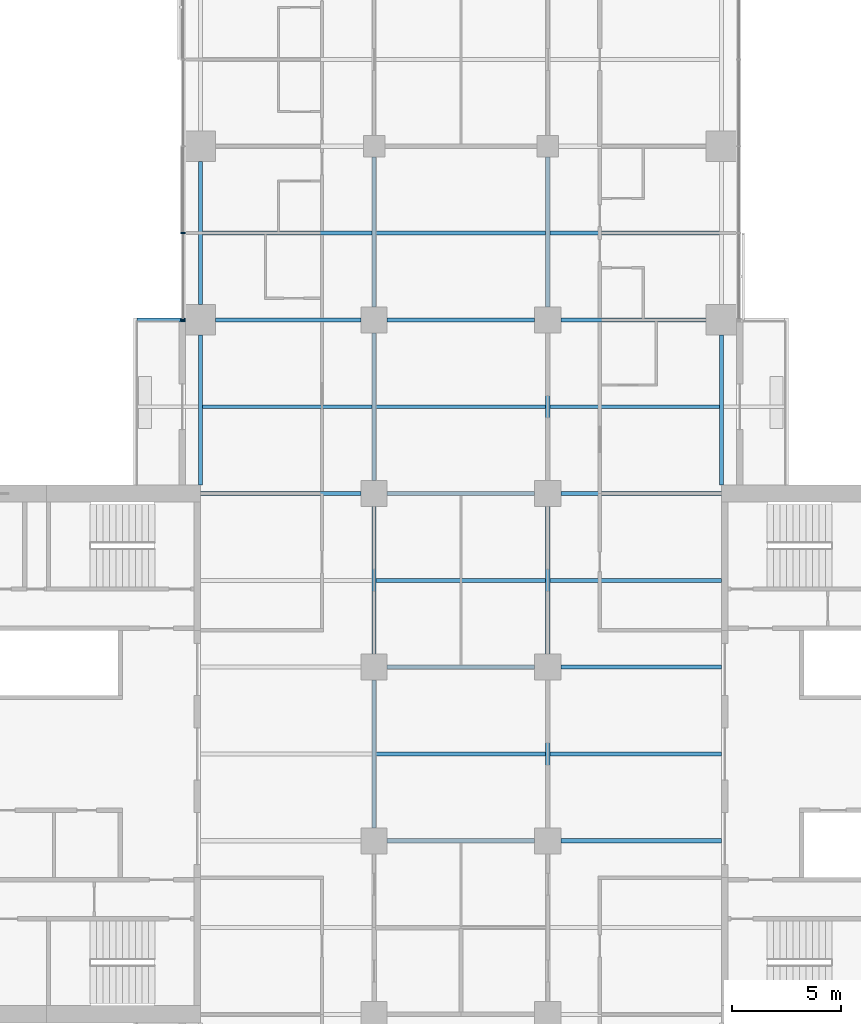
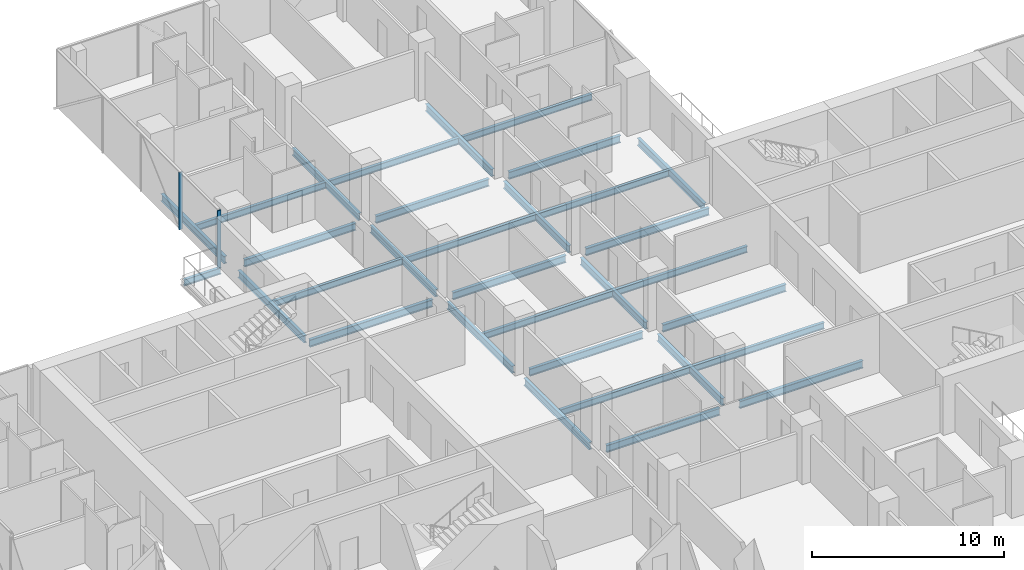
# One storey, part 9 of 27: 32 beams, 2 members, 1 element without a shape of its own.
"""IFC4 building model written with IfcOpenShell, lengths in metres."""

from ifc_helpers import new_model, si_unit, direction, frame, origin, origin_2d, place, context, subcontext, project, spatial, rectangle, i_section, extrude, material, material_profile, profile_set, type_object, element, aggregate, save


model = new_model("IFC4")

# Units and contexts
model_context = context("Model", 3, precision=1e-05, world=origin(), true_north=direction((0.0, 1.0)))
body_context = subcontext(model_context, "Body", "Model", "MODEL_VIEW")
ifc_project = project(units=[si_unit("LENGTHUNIT", "METRE"), si_unit("AREAUNIT", "SQUARE_METRE"), si_unit("VOLUMEUNIT", "CUBIC_METRE"), si_unit("PLANEANGLEUNIT", "RADIAN"), si_unit("MASSUNIT", "GRAM", prefix="KILO")], contexts=[model_context])

# Site, building, storey
site_placement = place(None, origin())
site = spatial("IfcSite", under=ifc_project, at=site_placement, CompositionType="ELEMENT")
building_placement = place(site_placement, origin())
building = spatial("IfcBuilding", under=site, at=building_placement, Name="Crosswind Convention Tower", CompositionType="ELEMENT")
storey_placement = place(building_placement, frame((0.0, 0.0, 68.300048828125)))
storey = spatial("IfcBuildingStorey", under=building, at=storey_placement, Name="L11", CompositionType="ELEMENT", Elevation=68.300048828125)

# Beams
ifc_material_1 = material(Name="Steel S355", Category="steel")
ifc_material_profile_1 = material_profile(ifc_material_1, i_section(OverallWidth=0.177734375, OverallDepth=0.406494140625, WebThickness=0.0078125, FlangeThickness=0.0126953125, FilletRadius=0.01025390625, at=origin_2d()), Name="UB 406x178x60")
ifc_profile_set_1 = profile_set([ifc_material_profile_1], Name="Steel S355")
beam_type_1 = type_object("IfcBeamType", Name="Balcony cantilever UB 406x178x60", PredefinedType="BEAM", material=ifc_profile_set_1)
beam_1_placement = place(storey_placement, frame((112.300048828125, 120.0, -0.483154296875), z_axis=(-1.0, 0.0, 0.0), x_axis=(0.0, -1.0, 0.0)))
element("IfcBeam", 1, at=beam_1_placement, inside=storey, type_object=beam_type_1, Name="B35 L11 balcony cantilever NW 5", PredefinedType="BEAM", context=body_context, shape_type="SweptSolid", body=[
    extrude(i_section(OverallWidth=0.177734375, OverallDepth=0.406494140625, WebThickness=0.0078125, FlangeThickness=0.0126953125, FilletRadius=0.01025390625, at=origin_2d()), origin(), (0.0, 0.0, 1.0), 2.214599609375),
])
ifc_material_profile_2 = material_profile(ifc_material_1, i_section(OverallWidth=0.1904296875, OverallDepth=0.457275390625, WebThickness=0.009033203125, FlangeThickness=0.014404296875, FilletRadius=0.01025390625, at=origin_2d()), Name="UB 457x191x75")
ifc_profile_set_2 = profile_set([ifc_material_profile_2], Name="Steel S355")
beam_type_2 = type_object("IfcBeamType", Name="Edge beam UB 457x191x75", PredefinedType="SPANDREL", material=ifc_profile_set_2)
beam_2_placement = place(storey_placement, frame((113.0, 112.39990234375, -0.508544921875), z_axis=(0.0, 1.0, 0.0), x_axis=(-1.0, 0.0, 0.0)))
element("IfcBeam", 2, at=beam_2_placement, inside=storey, type_object=beam_type_2, Name="B17 L11 edge beam 9", PredefinedType="SPANDREL", context=body_context, shape_type="SweptSolid", body=[
    extrude(i_section(OverallWidth=0.1904296875, OverallDepth=0.457275390625, WebThickness=0.009033203125, FlangeThickness=0.014404296875, FilletRadius=0.01025390625, at=origin_2d()), origin(), (0.0, 0.0, 1.0), 6.900146484375),
])
beam_3_placement = place(storey_placement, frame((113.0, 120.699951171875, -0.508544921875), z_axis=(0.0, 1.0, 0.0), x_axis=(-1.0, 0.0, 0.0)))
element("IfcBeam", 3, at=beam_3_placement, inside=storey, type_object=beam_type_2, Name="B17 L11 edge beam 10", PredefinedType="SPANDREL", context=body_context, shape_type="SweptSolid", body=[
    extrude(i_section(OverallWidth=0.1904296875, OverallDepth=0.457275390625, WebThickness=0.009033203125, FlangeThickness=0.014404296875, FilletRadius=0.01025390625, at=origin_2d()), origin(), (0.0, 0.0, 1.0), 6.60009765625),
])
beam_4_placement = place(storey_placement, frame((137.0, 112.39990234375, -0.508544921875), z_axis=(0.0, 1.0, 0.0), x_axis=(-1.0, 0.0, 0.0)))
element("IfcBeam", 4, at=beam_4_placement, inside=storey, type_object=beam_type_2, Name="B17 L11 edge beam 21", PredefinedType="SPANDREL", context=body_context, shape_type="SweptSolid", body=[
    extrude(i_section(OverallWidth=0.1904296875, OverallDepth=0.457275390625, WebThickness=0.009033203125, FlangeThickness=0.014404296875, FilletRadius=0.01025390625, at=origin_2d()), origin(), (0.0, 0.0, 1.0), 6.900146484375),
])
ifc_material_profile_3 = material_profile(ifc_material_1, i_section(OverallWidth=0.19140625, OverallDepth=0.460205078125, WebThickness=0.010009765625, FlangeThickness=0.01611328125, FilletRadius=0.01025390625, at=origin_2d()), Name="UB 457x191x82")
ifc_profile_set_3 = profile_set([ifc_material_profile_3], Name="Steel S355")
beam_type_3 = type_object("IfcBeamType", Name="Girder UB 457x191x82", PredefinedType="BEAM", material=ifc_profile_set_3)
beam_5_placement = place(storey_placement, frame((113.699951171875, 120.0, -0.51025390625), z_axis=(1.0, 0.0, 0.0), x_axis=(0.0, 1.0, 0.0)))
element("IfcBeam", 5, at=beam_5_placement, inside=storey, type_object=beam_type_3, Name="B3 L11 girder 3", PredefinedType="BEAM", context=body_context, shape_type="SweptSolid", body=[
    extrude(i_section(OverallWidth=0.19140625, OverallDepth=0.460205078125, WebThickness=0.010009765625, FlangeThickness=0.01611328125, FilletRadius=0.01025390625, at=origin_2d()), origin(), (0.0, 0.0, 1.0), 6.699951171875),
])
for number, where, z_axis, x_axis, name in (
    (6, (121.0, 96.60009765625, -0.51025390625), (0.0, 1.0, 0.0), (-1.0, 0.0, 0.0), "B3 L11 girder 9"),
    (7, (121.0, 104.60009765625, -0.51025390625), (0.0, 1.0, 0.0), (-1.0, 0.0, 0.0), "B3 L11 girder 10"),
    (8, (121.0, 112.60009765625, -0.51025390625), (0.0, 1.0, 0.0), (-1.0, 0.0, 0.0), "B3 L11 girder 11"),
):
    element("IfcBeam", number, at=place(storey_placement, frame(where, z_axis=z_axis, x_axis=x_axis)), inside=storey, type_object=beam_type_3, Name=name, PredefinedType="BEAM", context=body_context, shape_type="SweptSolid", body=[
        extrude(i_section(OverallWidth=0.19140625, OverallDepth=0.460205078125, WebThickness=0.010009765625, FlangeThickness=0.01611328125, FilletRadius=0.01025390625, at=origin_2d()), origin(), (0.0, 0.0, 1.0), 6.7998046875),
    ])
beam_6_placement = place(storey_placement, frame((121.0, 120.60009765625, -0.51025390625), z_axis=(0.0, 1.0, 0.0), x_axis=(-1.0, 0.0, 0.0)))
element("IfcBeam", 9, at=beam_6_placement, inside=storey, type_object=beam_type_3, Name="B3 L11 girder 12", PredefinedType="BEAM", context=body_context, shape_type="SweptSolid", body=[
    extrude(i_section(OverallWidth=0.19140625, OverallDepth=0.460205078125, WebThickness=0.010009765625, FlangeThickness=0.01611328125, FilletRadius=0.01025390625, at=origin_2d()), origin(), (0.0, 0.0, 1.0), 6.89990234375),
])
for number, where, z_axis, x_axis, name in (
    (10, (121.60009765625, 96.0, -0.51025390625), (1.0, 0.0, 0.0), (0.0, 1.0, 0.0), "B3 L11 girder 18"),
    (11, (121.60009765625, 104.0, -0.51025390625), (1.0, 0.0, 0.0), (0.0, 1.0, 0.0), "B3 L11 girder 19"),
    (12, (121.60009765625, 112.0, -0.51025390625), (1.0, 0.0, 0.0), (0.0, 1.0, 0.0), "B3 L11 girder 20"),
    (13, (121.60009765625, 120.0, -0.51025390625), (1.0, 0.0, 0.0), (0.0, 1.0, 0.0), "B3 L11 girder 21"),
    (14, (129.0, 96.60009765625, -0.51025390625), (0.0, 1.0, 0.0), (-1.0, 0.0, 0.0), "B3 L11 girder 26"),
    (15, (129.0, 104.60009765625, -0.51025390625), (0.0, 1.0, 0.0), (-1.0, 0.0, 0.0), "B3 L11 girder 27"),
    (16, (129.0, 112.60009765625, -0.51025390625), (0.0, 1.0, 0.0), (-1.0, 0.0, 0.0), "B3 L11 girder 28"),
):
    element("IfcBeam", number, at=place(storey_placement, frame(where, z_axis=z_axis, x_axis=x_axis)), inside=storey, type_object=beam_type_3, Name=name, PredefinedType="BEAM", context=body_context, shape_type="SweptSolid", body=[
        extrude(i_section(OverallWidth=0.19140625, OverallDepth=0.460205078125, WebThickness=0.010009765625, FlangeThickness=0.01611328125, FilletRadius=0.01025390625, at=origin_2d()), origin(), (0.0, 0.0, 1.0), 6.7998046875),
    ])
beam_7_placement = place(storey_placement, frame((129.0, 120.60009765625, -0.51025390625), z_axis=(0.0, 1.0, 0.0), x_axis=(-1.0, 0.0, 0.0)))
element("IfcBeam", 17, at=beam_7_placement, inside=storey, type_object=beam_type_3, Name="B3 L11 girder 29", PredefinedType="BEAM", context=body_context, shape_type="SweptSolid", body=[
    extrude(i_section(OverallWidth=0.19140625, OverallDepth=0.460205078125, WebThickness=0.010009765625, FlangeThickness=0.01611328125, FilletRadius=0.01025390625, at=origin_2d()), origin(), (0.0, 0.0, 1.0), 6.89990234375),
])
beam_8_placement = place(storey_placement, frame((129.60009765625, 120.0, -0.51025390625), z_axis=(1.0, 0.0, 0.0), x_axis=(0.0, 1.0, 0.0)))
element("IfcBeam", 18, at=beam_8_placement, inside=storey, type_object=beam_type_3, Name="B3 L11 girder 34", PredefinedType="BEAM", context=body_context, shape_type="SweptSolid", body=[
    extrude(i_section(OverallWidth=0.19140625, OverallDepth=0.460205078125, WebThickness=0.010009765625, FlangeThickness=0.01611328125, FilletRadius=0.01025390625, at=origin_2d()), origin(), (0.0, 0.0, 1.0), 6.699951171875),
])
ifc_material_profile_4 = material_profile(ifc_material_1, i_section(OverallWidth=0.19189453125, OverallDepth=0.463623046875, WebThickness=0.010498046875, FlangeThickness=0.017578125, FilletRadius=0.01025390625, at=origin_2d()), Name="UB 457x191x90")
ifc_profile_set_4 = profile_set([ifc_material_profile_4], Name="Steel S355")
beam_type_4 = type_object("IfcBeamType", Name="Girder at core wall UB 457x191x90", PredefinedType="BEAM", material=ifc_profile_set_4)
for number, where, z_axis, x_axis, name in (
    (19, (113.0, 112.0, -0.511962890625), (1.0, 0.0, 0.0), (0.0, 1.0, 0.0), "B24 L11 girder at core wall 6"),
    (20, (129.60009765625, 96.0, -0.511962890625), (1.0, 0.0, 0.0), (0.0, 1.0, 0.0), "B24 L11 girder at core wall 8"),
    (21, (129.60009765625, 104.0, -0.511962890625), (1.0, 0.0, 0.0), (0.0, 1.0, 0.0), "B24 L11 girder at core wall 9"),
    (22, (129.60009765625, 112.0, -0.511962890625), (1.0, 0.0, 0.0), (0.0, 1.0, 0.0), "B24 L11 girder at core wall 10"),
):
    element("IfcBeam", number, at=place(storey_placement, frame(where, z_axis=z_axis, x_axis=x_axis)), inside=storey, type_object=beam_type_4, Name=name, PredefinedType="BEAM", context=body_context, shape_type="SweptSolid", body=[
        extrude(i_section(OverallWidth=0.19189453125, OverallDepth=0.463623046875, WebThickness=0.010498046875, FlangeThickness=0.017578125, FilletRadius=0.01025390625, at=origin_2d()), origin(), (0.0, 0.0, 1.0), 7.39990234375),
    ])

# Curtain wall, members
ifc_material_2 = material(Name="Aluminium unitised curtain wall", Category="aluminium")
curtain_wall_type = type_object("IfcCurtainWallType", Name="HOTEL UNITISED WALL 200", PredefinedType="USERDEFINED", material=ifc_material_2)
curtain_wall_placement = place(storey_placement, origin())
curtain_wall = element("IfcCurtainWall", 23, at=curtain_wall_placement, inside=storey, type_object=curtain_wall_type, Name="CW2 L11 N-W 1", ObjectType="UNITISED", PredefinedType="USERDEFINED")
ifc_material_3 = material(Name="Aluminium mullion", Category="aluminium")
ifc_material_profile_5 = material_profile(ifc_material_3, rectangle(XDim=0.199951171875, YDim=0.06494140625, at=origin_2d()), Name="AL 200X65")
ifc_profile_set_5 = profile_set([ifc_material_profile_5], Name="Aluminium mullion")
member_type = type_object("IfcMemberType", Name="MULLION 65X200", PredefinedType="MULLION", material=ifc_profile_set_5)
member_1_placement = place(storey_placement, frame((112.199951171875, 124.0, -0.280029296875), z_axis=(0.0, 0.0, 1.0), x_axis=(-1.0, 0.0, 0.0)))
member_1 = element("IfcMember", 24, at=member_1_placement, type_object=member_type, Name="CW2 mullion 4", PredefinedType="MULLION", context=body_context, shape_type="SweptSolid", body=[
    extrude(rectangle(XDim=0.199951171875, YDim=0.06494140625, at=origin_2d()), origin(), (0.0, 0.0, 1.0), 3.635009765625),
])
member_2_placement = place(storey_placement, frame((112.199951171875, 120.0, -0.280029296875), z_axis=(0.0, 0.0, 1.0), x_axis=(-1.0, 0.0, 0.0)))
member_2 = element("IfcMember", 25, at=member_2_placement, type_object=member_type, Name="CW2 mullion 5", PredefinedType="MULLION", context=body_context, shape_type="SweptSolid", body=[
    extrude(rectangle(XDim=0.199951171875, YDim=0.06494140625, at=origin_2d()), origin(), (0.0, 0.0, 1.0), 3.635009765625),
])
aggregate(curtain_wall, [member_1, member_2])

# Beams
ifc_material_profile_6 = material_profile(ifc_material_1, i_section(OverallWidth=0.177734375, OverallDepth=0.406494140625, WebThickness=0.0078125, FlangeThickness=0.0126953125, FilletRadius=0.01025390625, at=origin_2d()), Name="UB 406x178x60")
ifc_profile_set_6 = profile_set([ifc_material_profile_6], Name="Steel S355")
beam_type_5 = type_object("IfcBeamType", Name="Secondary beam UB 406x178x60", PredefinedType="JOIST", material=ifc_profile_set_6)
for number, where, z_axis, x_axis, name in (
    (26, (113.09521484375, 116.0, -0.483154296875), (1.0, 0.0, 0.0), (0.0, 1.0, 0.0), "B10 L11 secondary beam 10"),
    (27, (113.09521484375, 124.0, -0.483154296875), (1.0, 0.0, 0.0), (0.0, 1.0, 0.0), "B10 L11 secondary beam 11"),
):
    element("IfcBeam", number, at=place(storey_placement, frame(where, z_axis=z_axis, x_axis=x_axis)), inside=storey, type_object=beam_type_5, Name=name, PredefinedType="JOIST", context=body_context, shape_type="SweptSolid", body=[
        extrude(i_section(OverallWidth=0.177734375, OverallDepth=0.406494140625, WebThickness=0.0078125, FlangeThickness=0.0126953125, FilletRadius=0.01025390625, at=origin_2d()), origin(), (0.0, 0.0, 1.0), 7.80908203125),
    ])
for number, where, z_axis, x_axis, name in (
    (28, (121.095703125, 100.0, -0.483154296875), (1.0, 0.0, 0.0), (0.0, 1.0, 0.0), "B10 L11 secondary beam 17"),
    (29, (121.095703125, 108.0, -0.483154296875), (1.0, 0.0, 0.0), (0.0, 1.0, 0.0), "B10 L11 secondary beam 18"),
    (30, (121.095703125, 116.0, -0.483154296875), (1.0, 0.0, 0.0), (0.0, 1.0, 0.0), "B10 L11 secondary beam 19"),
    (31, (121.095703125, 124.0, -0.483154296875), (1.0, 0.0, 0.0), (0.0, 1.0, 0.0), "B10 L11 secondary beam 20"),
):
    element("IfcBeam", number, at=place(storey_placement, frame(where, z_axis=z_axis, x_axis=x_axis)), inside=storey, type_object=beam_type_5, Name=name, PredefinedType="JOIST", context=body_context, shape_type="SweptSolid", body=[
        extrude(i_section(OverallWidth=0.177734375, OverallDepth=0.406494140625, WebThickness=0.0078125, FlangeThickness=0.0126953125, FilletRadius=0.01025390625, at=origin_2d()), origin(), (0.0, 0.0, 1.0), 7.80859375),
    ])
for number, where, z_axis, x_axis, name in (
    (32, (129.095703125, 100.0, -0.483154296875), (1.0, 0.0, 0.0), (0.0, 1.0, 0.0), "B10 L11 secondary beam 26"),
    (33, (129.095703125, 108.0, -0.483154296875), (1.0, 0.0, 0.0), (0.0, 1.0, 0.0), "B10 L11 secondary beam 27"),
):
    element("IfcBeam", number, at=place(storey_placement, frame(where, z_axis=z_axis, x_axis=x_axis)), inside=storey, type_object=beam_type_5, Name=name, PredefinedType="JOIST", context=body_context, shape_type="SweptSolid", body=[
        extrude(i_section(OverallWidth=0.177734375, OverallDepth=0.406494140625, WebThickness=0.0078125, FlangeThickness=0.0126953125, FilletRadius=0.01025390625, at=origin_2d()), origin(), (0.0, 0.0, 1.0), 7.904296875),
    ])
for number, where, z_axis, x_axis, name in (
    (34, (129.095703125, 116.0, -0.483154296875), (1.0, 0.0, 0.0), (0.0, 1.0, 0.0), "B10 L11 secondary beam 28"),
    (35, (129.095703125, 124.0, -0.483154296875), (1.0, 0.0, 0.0), (0.0, 1.0, 0.0), "B10 L11 secondary beam 29"),
):
    element("IfcBeam", number, at=place(storey_placement, frame(where, z_axis=z_axis, x_axis=x_axis)), inside=storey, type_object=beam_type_5, Name=name, PredefinedType="JOIST", context=body_context, shape_type="SweptSolid", body=[
        extrude(i_section(OverallWidth=0.177734375, OverallDepth=0.406494140625, WebThickness=0.0078125, FlangeThickness=0.0126953125, FilletRadius=0.01025390625, at=origin_2d()), origin(), (0.0, 0.0, 1.0), 7.80908203125),
    ])

save(model, "model.ifc")
